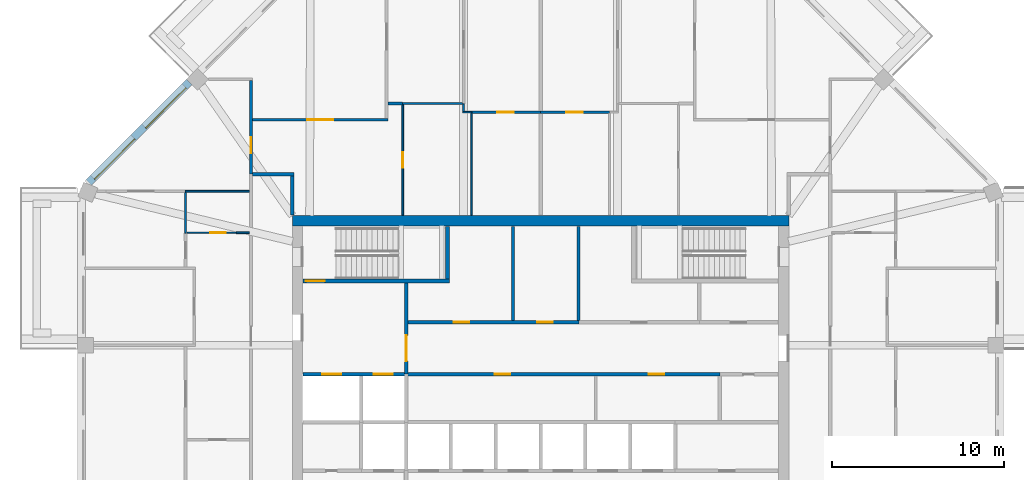
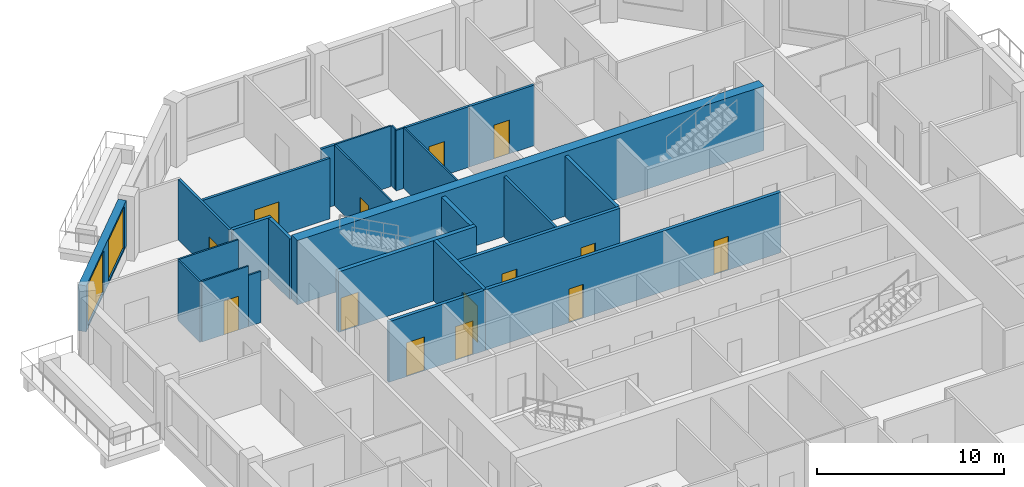
# One storey, part 7 of 12: 26 walls, 14 doors, 2 windows, 16 openings.
"""IFC4 building model written with IfcOpenShell, lengths in metres."""

from ifc_helpers import new_model, si_unit, direction, frame, frame_2d, origin, place, context, subcontext, project, spatial, rectangle, extrude, material, layer, layer_set, type_object, element, fill, save


model = new_model("IFC4")

# Units and contexts
model_context = context("Model", 3, precision=1e-05, world=origin(), true_north=direction((0.0, 1.0)))
body_context = subcontext(model_context, "Body", "Model", "MODEL_VIEW")
ifc_project = project(units=[si_unit("LENGTHUNIT", "METRE"), si_unit("AREAUNIT", "SQUARE_METRE"), si_unit("VOLUMEUNIT", "CUBIC_METRE"), si_unit("PLANEANGLEUNIT", "RADIAN"), si_unit("MASSUNIT", "GRAM", prefix="KILO")], contexts=[model_context])

# Site, building, storey
site_placement = place(None, origin())
site = spatial("IfcSite", under=ifc_project, at=site_placement, CompositionType="ELEMENT")
building_placement = place(site_placement, origin())
building = spatial("IfcBuilding", under=site, at=building_placement, Name="Msitu Wima Residences", CompositionType="ELEMENT")
storey_placement = place(building_placement, frame((0.0, 0.0, 239.10009765625)))
storey = spatial("IfcBuildingStorey", under=building, at=storey_placement, Name="L55", CompositionType="ELEMENT", Elevation=239.10009765625)

# Wall, openings, windows
ifc_material_1 = material(Name="Brick (red buff mix)", Category="masonry")
ifc_layer_1 = layer(ifc_material_1, 0.449951171875)
ifc_layer_set_1 = layer_set([ifc_layer_1], Name="Brick (red buff mix)")
wall_type_1 = type_object("IfcWallType", Name="Brick infill wall BW450", PredefinedType="SOLIDWALL", material=ifc_layer_set_1)
wall_1_placement = place(storey_placement, frame((-20.380126953125, 19.743896484375, 0.89990234375), z_axis=(0.0, 0.0, 1.0), x_axis=(-0.707106781187, -0.707106781187, 0.0)))
wall_1 = element("IfcWall", 1, at=wall_1_placement, inside=storey, type_object=wall_type_1, Name="Brick infill wall L55 NW1", PredefinedType="SOLIDWALL", context=body_context, shape_type="SweptSolid", body=[
    extrude(rectangle(XDim=8.251220703125, YDim=0.449951171875, at=frame_2d((4.12548828125, 0.0))), origin(), (0.0, 0.0, 1.0), 3.0),
])
opening_1_placement = place(wall_1_placement, frame((0.37548828125, 0.0, 0.14990234375)))
opening_1 = element("IfcOpeningElement", 2, at=opening_1_placement, cuts=wall_1, Name="Opening W55-56.014", PredefinedType="OPENING", context=body_context, shape_type="SweptSolid", body=[
    extrude(rectangle(XDim=3.300048828125, YDim=2.699951171875, at=frame_2d((1.64990234375, 1.35009765625))), frame((0.0, 0.23486328125, 0.0), z_axis=(0.0, -1.0, 0.0), x_axis=(1.0, 0.0, 0.0)), (0.0, 0.0, 1.0), 0.469970703125),
])
opening_2_placement = place(wall_1_placement, frame((4.57568359375, 0.0, 0.14990234375)))
opening_2 = element("IfcOpeningElement", 3, at=opening_2_placement, cuts=wall_1, Name="Opening W55-56.015", PredefinedType="OPENING", context=body_context, shape_type="SweptSolid", body=[
    extrude(rectangle(XDim=3.300048828125, YDim=2.699951171875, at=frame_2d((1.64990234375, 1.35009765625))), frame((0.0, 0.23486328125, 0.0), z_axis=(0.0, -1.0, 0.0), x_axis=(1.0, 0.0, 0.0)), (0.0, 0.0, 1.0), 0.469970703125),
])
ifc_material_2 = material(Name="Anodised aluminium, bronze finish, clear low-emissivity double glazing", Category="aluminium")
window_type = type_object("IfcWindowType", Name="Window W3300x2700", PartitioningType="DOUBLE_PANEL_VERTICAL", PredefinedType="WINDOW", material=ifc_material_2)
window_1_placement = place(opening_1_placement, origin())
window_1 = element("IfcWindow", 4, at=window_1_placement, inside=storey, type_object=window_type, Name="Window L55 NW1.1", OverallHeight=2.699951171875, OverallWidth=3.300048828125, PartitioningType="SINGLE_PANEL", PredefinedType="WINDOW", context=body_context, shape_type="SweptSolid", body=[
    extrude(rectangle(XDim=3.300048828125, YDim=2.699951171875, at=frame_2d((1.64990234375, 1.35009765625))), frame((0.0, 0.135009765625, 0.0), z_axis=(0.0, -1.0, 0.0), x_axis=(1.0, 0.0, 0.0)), (0.0, 0.0, 1.0), 0.06005859375),
])
fill(opening_1, window_1)
window_2_placement = place(opening_2_placement, origin())
window_2 = element("IfcWindow", 5, at=window_2_placement, inside=storey, type_object=window_type, Name="Window L55 NW1.2", OverallHeight=2.699951171875, OverallWidth=3.300048828125, PartitioningType="SINGLE_PANEL", PredefinedType="WINDOW", context=body_context, shape_type="SweptSolid", body=[
    extrude(rectangle(XDim=3.300048828125, YDim=2.699951171875, at=frame_2d((1.64990234375, 1.35009765625))), frame((0.0, 0.135009765625, 0.0), z_axis=(0.0, -1.0, 0.0), x_axis=(1.0, 0.0, 0.0)), (0.0, 0.0, 1.0), 0.06005859375),
])
fill(opening_2, window_2)

# Walls
ifc_material_3 = material(Name="Concrete C50/60", Category="concrete")
ifc_layer_2 = layer(ifc_material_3, 0.60009765625)
ifc_layer_set_2 = layer_set([ifc_layer_2], Name="Concrete C50/60")
wall_type_2 = type_object("IfcWallType", Name="Core wall CW600 C50/60", PredefinedType="SHEAR", material=ifc_layer_set_2)
wall_2_placement = place(storey_placement, frame((-14.39990234375, 11.699951171875, 0.0), z_axis=(0.0, 0.0, 1.0), x_axis=(1.0, 0.0, 0.0)))
element("IfcWall", 6, at=wall_2_placement, inside=storey, type_object=wall_type_2, Name="Core wall", PredefinedType="SHEAR", context=body_context, shape_type="SweptSolid", body=[
    extrude(rectangle(XDim=28.7998046875, YDim=0.60009765625, at=frame_2d((14.39990234375, 0.0))), origin(), (0.0, 0.0, 1.0), 4.199951171875),
])
ifc_material_4 = material(Name="Plaster")
ifc_layer_3 = layer(ifc_material_4, 0.011962890625, Name="Plaster")
ifc_material_5 = material(Name="Concrete blockwork", Category="masonry")
ifc_layer_4 = layer(ifc_material_5, 0.176025390625, Name="Concrete blockwork")
ifc_layer_5 = layer(ifc_material_4, 0.011962890625, Name="Plaster")
ifc_layer_set_3 = layer_set([ifc_layer_3, ifc_layer_4, ifc_layer_5], Name="Concrete blockwork")
wall_type_3 = type_object("IfcWallType", Name="Corridor wall FW200", PredefinedType="PARTITIONING", material=ifc_layer_set_3)
wall_3_placement = place(storey_placement, frame((-16.699951171875, 14.39990234375, 0.0), z_axis=(0.0, 0.0, 1.0), x_axis=(1.0, 0.0, 0.0)))
element("IfcWall", 7, at=wall_3_placement, inside=storey, type_object=wall_type_3, Name="Corridor wall", PredefinedType="PARTITIONING", context=body_context, shape_type="SweptSolid", body=[
    extrude(rectangle(XDim=2.39990234375, YDim=0.199951171875, at=frame_2d((1.199951171875, 0.0))), origin(), (0.0, 0.0, 1.0), 3.949951171875),
])
wall_4_placement = place(storey_placement, frame((-14.39990234375, 12.030029296875, 0.0), z_axis=(0.0, 0.0, 1.0), x_axis=(0.0, 1.0, 0.0)))
element("IfcWall", 8, at=wall_4_placement, inside=storey, type_object=wall_type_3, Name="Corridor wall", PredefinedType="PARTITIONING", context=body_context, shape_type="SweptSolid", body=[
    extrude(rectangle(XDim=2.27001953125, YDim=0.199951171875, at=frame_2d((1.135009765625, 0.0))), origin(), (0.0, 0.0, 1.0), 3.949951171875),
])

# Wall, openings, doors
wall_5_placement = place(storey_placement, frame((-7.820068359375, 2.800048828125, 0.0), z_axis=(0.0, 0.0, 1.0), x_axis=(1.0, 0.0, 0.0)))
wall_5 = element("IfcWall", 9, at=wall_5_placement, inside=storey, type_object=wall_type_3, Name="Corridor wall", PredefinedType="PARTITIONING", context=body_context, shape_type="SweptSolid", body=[
    extrude(rectangle(XDim=18.239990234375, YDim=0.199951171875, at=frame_2d((9.1201171875, 0.0))), origin(), (0.0, 0.0, 1.0), 3.949951171875),
])
opening_3_placement = place(wall_5_placement, frame((5.14990234375, 0.0, 0.0)))
opening_3 = element("IfcOpeningElement", 10, at=opening_3_placement, cuts=wall_5, Name="Opening D55-56.073", PredefinedType="OPENING", context=body_context, shape_type="SweptSolid", body=[
    extrude(rectangle(XDim=0.89990234375, YDim=2.199951171875, at=frame_2d((0.449951171875, 1.10009765625))), frame((0.0, 0.10986328125, 0.0), z_axis=(0.0, -1.0, 0.0), x_axis=(1.0, 0.0, 0.0)), (0.0, 0.0, 1.0), 0.219970703125),
])
opening_4_placement = place(wall_5_placement, frame((14.10009765625, 0.0, 0.0)))
opening_4 = element("IfcOpeningElement", 11, at=opening_4_placement, cuts=wall_5, Name="Opening D55-56.074", PredefinedType="OPENING", context=body_context, shape_type="SweptSolid", body=[
    extrude(rectangle(XDim=0.89990234375, YDim=2.199951171875, at=frame_2d((0.449951171875, 1.10009765625))), frame((0.0, 0.10986328125, 0.0), z_axis=(0.0, -1.0, 0.0), x_axis=(1.0, 0.0, 0.0)), (0.0, 0.0, 1.0), 0.219970703125),
])
ifc_material_6 = material(Name="Timber flush door", Category="wood")
door_type_1 = type_object("IfcDoorType", Name="Service door D05 900x2200", OperationType="SINGLE_SWING_LEFT", PredefinedType="DOOR", material=ifc_material_6)
door_1_placement = place(opening_3_placement, origin())
door_1 = element("IfcDoor", 12, at=door_1_placement, inside=storey, type_object=door_type_1, Name="Service door", OperationType="SINGLE_SWING_RIGHT", OverallHeight=2.199951171875, OverallWidth=0.89990234375, PredefinedType="DOOR", context=body_context, shape_type="SweptSolid", body=[
    extrude(rectangle(XDim=0.89990234375, YDim=2.199951171875, at=frame_2d((0.449951171875, 1.10009765625))), frame((0.0, 0.02490234375, 0.0), z_axis=(0.0, -1.0, 0.0), x_axis=(1.0, 0.0, 0.0)), (0.0, 0.0, 1.0), 0.050048828125),
])
fill(opening_3, door_1)
door_2_placement = place(opening_4_placement, origin())
door_2 = element("IfcDoor", 13, at=door_2_placement, inside=storey, type_object=door_type_1, Name="Service door", OperationType="SINGLE_SWING_LEFT", OverallHeight=2.199951171875, OverallWidth=0.89990234375, PredefinedType="DOOR", context=body_context, shape_type="SweptSolid", body=[
    extrude(rectangle(XDim=0.89990234375, YDim=2.199951171875, at=frame_2d((0.449951171875, 1.10009765625))), frame((0.0, 0.02490234375, 0.0), z_axis=(0.0, -1.0, 0.0), x_axis=(1.0, 0.0, 0.0)), (0.0, 0.0, 1.0), 0.050048828125),
])
fill(opening_4, door_2)

# Wall, opening, door
wall_6_placement = place(storey_placement, frame((-7.800048828125, 2.800048828125, 0.0), z_axis=(0.0, 0.0, 1.0), x_axis=(0.0, 1.0, 0.0)))
wall_6 = element("IfcWall", 14, at=wall_6_placement, inside=storey, type_object=wall_type_3, Name="Corridor wall", PredefinedType="PARTITIONING", context=body_context, shape_type="SweptSolid", body=[
    extrude(rectangle(XDim=5.27490234375, YDim=0.199951171875, at=frame_2d((2.637451171875, 0.0))), origin(), (0.0, 0.0, 1.0), 3.949951171875),
])
opening_5_placement = place(wall_6_placement, frame((0.75, 0.0, 0.0)))
opening_5 = element("IfcOpeningElement", 15, at=opening_5_placement, cuts=wall_6, Name="Opening D55-56.061", PredefinedType="OPENING", context=body_context, shape_type="SweptSolid", body=[
    extrude(rectangle(XDim=1.5, YDim=2.39990234375, at=frame_2d((0.75, 1.199951171875))), frame((0.0, 0.10986328125, 0.0), z_axis=(0.0, -1.0, 0.0), x_axis=(1.0, 0.0, 0.0)), (0.0, 0.0, 1.0), 0.219970703125),
])
ifc_material_7 = material(Name="Steel framed glazed door, fire resisting", Category="steel")
door_type_2 = type_object("IfcDoorType", Name="Lobby door D07 1500x2400", OperationType="DOUBLE_DOOR_SINGLE_SWING", PredefinedType="DOOR", material=ifc_material_7)
door_3_placement = place(opening_5_placement, origin())
door_3 = element("IfcDoor", 16, at=door_3_placement, inside=storey, type_object=door_type_2, Name="Lobby door", OperationType="DOUBLE_DOOR_SINGLE_SWING", OverallHeight=2.39990234375, OverallWidth=1.5, PredefinedType="DOOR", context=body_context, shape_type="SweptSolid", body=[
    extrude(rectangle(XDim=1.5, YDim=2.39990234375, at=frame_2d((0.75, 1.199951171875))), frame((0.0, 0.02490234375, 0.0), z_axis=(0.0, -1.0, 0.0), x_axis=(1.0, 0.0, 0.0)), (0.0, 0.0, 1.0), 0.050048828125),
])
fill(opening_5, door_3)

# Wall, openings, doors
wall_7_placement = place(storey_placement, frame((-7.699951171875, 5.800048828125, 0.0), z_axis=(0.0, 0.0, 1.0), x_axis=(1.0, 0.0, 0.0)))
wall_7 = element("IfcWall", 17, at=wall_7_placement, inside=storey, type_object=wall_type_3, Name="Corridor wall", PredefinedType="PARTITIONING", context=body_context, shape_type="SweptSolid", body=[
    extrude(rectangle(XDim=9.919921875, YDim=0.199951171875, at=frame_2d((4.9599609375, 0.0))), origin(), (0.0, 0.0, 1.0), 3.949951171875),
])
opening_6_placement = place(wall_7_placement, frame((2.64990234375, 0.0, 0.0)))
opening_6 = element("IfcOpeningElement", 18, at=opening_6_placement, cuts=wall_7, Name="Opening D55-56.064", PredefinedType="OPENING", context=body_context, shape_type="SweptSolid", body=[
    extrude(rectangle(XDim=0.89990234375, YDim=2.199951171875, at=frame_2d((0.449951171875, 1.10009765625))), frame((0.0, 0.10986328125, 0.0), z_axis=(0.0, -1.0, 0.0), x_axis=(1.0, 0.0, 0.0)), (0.0, 0.0, 1.0), 0.219970703125),
])
opening_7_placement = place(wall_7_placement, frame((7.5, 0.0, 0.0)))
opening_7 = element("IfcOpeningElement", 19, at=opening_7_placement, cuts=wall_7, Name="Opening D55-56.065", PredefinedType="OPENING", context=body_context, shape_type="SweptSolid", body=[
    extrude(rectangle(XDim=0.89990234375, YDim=2.199951171875, at=frame_2d((0.449951171875, 1.10009765625))), frame((0.0, 0.10986328125, 0.0), z_axis=(0.0, -1.0, 0.0), x_axis=(1.0, 0.0, 0.0)), (0.0, 0.0, 1.0), 0.219970703125),
])
door_4_placement = place(opening_6_placement, origin())
door_4 = element("IfcDoor", 20, at=door_4_placement, inside=storey, type_object=door_type_1, Name="Service door", OperationType="SINGLE_SWING_RIGHT", OverallHeight=2.199951171875, OverallWidth=0.89990234375, PredefinedType="DOOR", context=body_context, shape_type="SweptSolid", body=[
    extrude(rectangle(XDim=0.89990234375, YDim=2.199951171875, at=frame_2d((0.449951171875, 1.10009765625))), frame((0.0, 0.02490234375, 0.0), z_axis=(0.0, -1.0, 0.0), x_axis=(1.0, 0.0, 0.0)), (0.0, 0.0, 1.0), 0.050048828125),
])
fill(opening_6, door_4)
door_5_placement = place(opening_7_placement, origin())
door_5 = element("IfcDoor", 21, at=door_5_placement, inside=storey, type_object=door_type_1, Name="Service door", OperationType="SINGLE_SWING_LEFT", OverallHeight=2.199951171875, OverallWidth=0.89990234375, PredefinedType="DOOR", context=body_context, shape_type="SweptSolid", body=[
    extrude(rectangle(XDim=0.89990234375, YDim=2.199951171875, at=frame_2d((0.449951171875, 1.10009765625))), frame((0.0, 0.02490234375, 0.0), z_axis=(0.0, -1.0, 0.0), x_axis=(1.0, 0.0, 0.0)), (0.0, 0.0, 1.0), 0.050048828125),
])
fill(opening_7, door_5)

# Wall, opening, door
ifc_layer_6 = layer(ifc_material_4, 0.011962890625, Name="Plaster")
ifc_layer_7 = layer(ifc_material_5, 0.1259765625, Name="Concrete blockwork")
ifc_layer_8 = layer(ifc_material_4, 0.011962890625, Name="Plaster")
ifc_layer_set_4 = layer_set([ifc_layer_6, ifc_layer_7, ifc_layer_8], Name="Concrete blockwork")
wall_type_4 = type_object("IfcWallType", Name="Partition PW150", PredefinedType="PARTITIONING", material=ifc_layer_set_4)
wall_8_placement = place(storey_placement, frame((-16.800048828125, 14.39990234375, 0.0), z_axis=(0.0, 0.0, 1.0), x_axis=(0.0, 1.0, 0.0)))
wall_8 = element("IfcWall", 22, at=wall_8_placement, inside=storey, type_object=wall_type_4, Name="Partition", PredefinedType="PARTITIONING", context=body_context, shape_type="SweptSolid", body=[
    extrude(rectangle(XDim=5.427978515625, YDim=0.14990234375, at=frame_2d((2.7138671875, 0.0))), origin(), (0.0, 0.0, 1.0), 3.949951171875),
])
opening_8_placement = place(wall_8_placement, frame((1.199951171875, 0.0, 0.0)))
opening_8 = element("IfcOpeningElement", 23, at=opening_8_placement, cuts=wall_8, Name="Opening D55-56.056", PredefinedType="OPENING", context=body_context, shape_type="SweptSolid", body=[
    extrude(rectangle(XDim=0.949951171875, YDim=2.199951171875, at=frame_2d((0.47509765625, 1.10009765625))), frame((0.0, 0.0849609375, 0.0), z_axis=(0.0, -1.0, 0.0), x_axis=(1.0, 0.0, 0.0)), (0.0, 0.0, 1.0), 0.169921875),
])
door_type_3 = type_object("IfcDoorType", Name="Room door D12 950x2200", OperationType="SINGLE_SWING_LEFT", PredefinedType="DOOR", material=ifc_material_6)
door_6_placement = place(opening_8_placement, origin())
door_6 = element("IfcDoor", 24, at=door_6_placement, inside=storey, type_object=door_type_3, Name="Room door", OperationType="SINGLE_SWING_LEFT", OverallHeight=2.199951171875, OverallWidth=0.949951171875, PredefinedType="DOOR", context=body_context, shape_type="SweptSolid", body=[
    extrude(rectangle(XDim=0.949951171875, YDim=2.199951171875, at=frame_2d((0.47509765625, 1.10009765625))), frame((0.0, 0.02490234375, 0.0), z_axis=(0.0, -1.0, 0.0), x_axis=(1.0, 0.0, 0.0)), (0.0, 0.0, 1.0), 0.050048828125),
])
fill(opening_8, door_6)

wall_9_placement = place(storey_placement, frame((-16.72509765625, 17.550048828125, 0.0), z_axis=(0.0, 0.0, 1.0), x_axis=(1.0, 0.0, 0.0)))
wall_9 = element("IfcWall", 25, at=wall_9_placement, inside=storey, type_object=wall_type_4, Name="Partition", PredefinedType="PARTITIONING", context=body_context, shape_type="SweptSolid", body=[
    extrude(rectangle(XDim=7.86279296875, YDim=0.14990234375, at=frame_2d((3.931396484375, 0.0))), origin(), (0.0, 0.0, 1.0), 3.949951171875),
])
opening_9_placement = place(wall_9_placement, frame((3.199951171875, 0.0, 0.0)))
opening_9 = element("IfcOpeningElement", 26, at=opening_9_placement, cuts=wall_9, Name="Opening D55-56.057", PredefinedType="OPENING", context=body_context, shape_type="SweptSolid", body=[
    extrude(rectangle(XDim=1.5, YDim=2.199951171875, at=frame_2d((0.75, 1.10009765625))), frame((0.0, 0.0849609375, 0.0), z_axis=(0.0, -1.0, 0.0), x_axis=(1.0, 0.0, 0.0)), (0.0, 0.0, 1.0), 0.169921875),
])
ifc_material_8 = material(Name="Timber double door", Category="wood")
door_type_4 = type_object("IfcDoorType", Name="Double door D04 1500x2200", OperationType="DOUBLE_DOOR_SINGLE_SWING", PredefinedType="DOOR", material=ifc_material_8)
door_7_placement = place(opening_9_placement, origin())
door_7 = element("IfcDoor", 27, at=door_7_placement, inside=storey, type_object=door_type_4, Name="Double door", OperationType="DOUBLE_DOOR_SINGLE_SWING", OverallHeight=2.199951171875, OverallWidth=1.5, PredefinedType="DOOR", context=body_context, shape_type="SweptSolid", body=[
    extrude(rectangle(XDim=1.5, YDim=2.199951171875, at=frame_2d((0.75, 1.10009765625))), frame((0.0, 0.02490234375, 0.0), z_axis=(0.0, -1.0, 0.0), x_axis=(1.0, 0.0, 0.0)), (0.0, 0.0, 1.0), 0.050048828125),
])
fill(opening_9, door_7)

# Wall
wall_10_placement = place(storey_placement, frame((-8.8623046875, 18.5, 0.0), z_axis=(0.0, 0.0, 1.0), x_axis=(1.0, 0.0, 0.0)))
element("IfcWall", 28, at=wall_10_placement, inside=storey, type_object=wall_type_4, Name="Partition", PredefinedType="PARTITIONING", context=body_context, shape_type="SweptSolid", body=[
    extrude(rectangle(XDim=0.8623046875, YDim=0.14990234375, at=frame_2d((0.43115234375, 0.0))), origin(), (0.0, 0.0, 1.0), 3.949951171875),
])

# Wall, opening, door
wall_11_placement = place(storey_placement, frame((-4.0, 18.0, 0.0), z_axis=(0.0, 0.0, 1.0), x_axis=(1.0, 0.0, 0.0)))
wall_11 = element("IfcWall", 29, at=wall_11_placement, inside=storey, type_object=wall_type_4, Name="Partition", PredefinedType="PARTITIONING", context=body_context, shape_type="SweptSolid", body=[
    extrude(rectangle(XDim=4.0, YDim=0.14990234375, at=frame_2d((2.0, 0.0))), origin(), (0.0, 0.0, 1.0), 3.949951171875),
])
opening_10_placement = place(wall_11_placement, frame((1.5, 0.0, 0.0)))
opening_10 = element("IfcOpeningElement", 30, at=opening_10_placement, cuts=wall_11, Name="Opening D55-56.048", PredefinedType="OPENING", context=body_context, shape_type="SweptSolid", body=[
    extrude(rectangle(XDim=0.949951171875, YDim=2.199951171875, at=frame_2d((0.47509765625, 1.10009765625))), frame((0.0, 0.0849609375, 0.0), z_axis=(0.0, -1.0, 0.0), x_axis=(1.0, 0.0, 0.0)), (0.0, 0.0, 1.0), 0.169921875),
])
door_8_placement = place(opening_10_placement, origin())
door_8 = element("IfcDoor", 31, at=door_8_placement, inside=storey, type_object=door_type_3, Name="Room door", OperationType="SINGLE_SWING_RIGHT", OverallHeight=2.199951171875, OverallWidth=0.949951171875, PredefinedType="DOOR", context=body_context, shape_type="SweptSolid", body=[
    extrude(rectangle(XDim=0.949951171875, YDim=2.199951171875, at=frame_2d((0.47509765625, 1.10009765625))), frame((0.0, 0.02490234375, 0.0), z_axis=(0.0, -1.0, 0.0), x_axis=(1.0, 0.0, 0.0)), (0.0, 0.0, 1.0), 0.050048828125),
])
fill(opening_10, door_8)

# Wall
wall_12_placement = place(storey_placement, frame((-1.60009765625, 5.89990234375, 0.0), z_axis=(0.0, 0.0, 1.0), x_axis=(0.0, 1.0, 0.0)))
element("IfcWall", 32, at=wall_12_placement, inside=storey, type_object=wall_type_4, Name="Partition", PredefinedType="PARTITIONING", context=body_context, shape_type="SweptSolid", body=[
    extrude(rectangle(XDim=5.47021484375, YDim=0.14990234375, at=frame_2d((2.735107421875, 0.0))), origin(), (0.0, 0.0, 1.0), 3.949951171875),
])

# Wall, opening, door
wall_13_placement = place(storey_placement, frame((0.0, 18.0, 0.0), z_axis=(0.0, 0.0, 1.0), x_axis=(1.0, 0.0, 0.0)))
wall_13 = element("IfcWall", 33, at=wall_13_placement, inside=storey, type_object=wall_type_4, Name="Partition", PredefinedType="PARTITIONING", context=body_context, shape_type="SweptSolid", body=[
    extrude(rectangle(XDim=4.0, YDim=0.14990234375, at=frame_2d((2.0, 0.0))), origin(), (0.0, 0.0, 1.0), 3.949951171875),
])
opening_11_placement = place(wall_13_placement, frame((1.5, 0.0, 0.0)))
opening_11 = element("IfcOpeningElement", 34, at=opening_11_placement, cuts=wall_13, Name="Opening D55-56.024", PredefinedType="OPENING", context=body_context, shape_type="SweptSolid", body=[
    extrude(rectangle(XDim=0.949951171875, YDim=2.199951171875, at=frame_2d((0.47509765625, 1.10009765625))), frame((0.0, 0.0849609375, 0.0), z_axis=(0.0, -1.0, 0.0), x_axis=(1.0, 0.0, 0.0)), (0.0, 0.0, 1.0), 0.169921875),
])
door_9_placement = place(opening_11_placement, origin())
door_9 = element("IfcDoor", 35, at=door_9_placement, inside=storey, type_object=door_type_3, Name="Room door", OperationType="SINGLE_SWING_LEFT", OverallHeight=2.199951171875, OverallWidth=0.949951171875, PredefinedType="DOOR", context=body_context, shape_type="SweptSolid", body=[
    extrude(rectangle(XDim=0.949951171875, YDim=2.199951171875, at=frame_2d((0.47509765625, 1.10009765625))), frame((0.0, 0.02490234375, 0.0), z_axis=(0.0, -1.0, 0.0), x_axis=(1.0, 0.0, 0.0)), (0.0, 0.0, 1.0), 0.050048828125),
])
fill(opening_11, door_9)

# Wall
ifc_layer_9 = layer(ifc_material_4, 0.011962890625, Name="Plaster")
ifc_material_9 = material(Name="Reinforced concrete blockwork", Category="masonry")
ifc_layer_10 = layer(ifc_material_9, 0.176025390625, Name="Reinforced concrete blockwork")
ifc_layer_11 = layer(ifc_material_4, 0.011962890625, Name="Plaster")
ifc_layer_set_5 = layer_set([ifc_layer_9, ifc_layer_10, ifc_layer_11], Name="Reinforced concrete blockwork")
wall_type_5 = type_object("IfcWallType", Name="Plant and riser wall PL200", PredefinedType="PARTITIONING", material=ifc_layer_set_5)
wall_14_placement = place(storey_placement, frame((2.199951171875, 5.89990234375, 0.0), z_axis=(0.0, 0.0, 1.0), x_axis=(0.0, 1.0, 0.0)))
element("IfcWall", 36, at=wall_14_placement, inside=storey, type_object=wall_type_5, Name="Plant and riser wall", PredefinedType="PARTITIONING", context=body_context, shape_type="SweptSolid", body=[
    extrude(rectangle(XDim=5.47021484375, YDim=0.199951171875, at=frame_2d((2.735107421875, 0.0))), origin(), (0.0, 0.0, 1.0), 3.949951171875),
])

# Wall, openings, doors
ifc_material_10 = material(Name="Fire-rated board")
ifc_layer_12 = layer(ifc_material_10, 0.02490234375, Name="Fire-rated board")
ifc_material_11 = material(Name="Light-gauge stud framing with mineral wool")
ifc_layer_13 = layer(ifc_material_11, 0.14990234375, Name="Light-gauge stud framing with mineral wool")
ifc_layer_14 = layer(ifc_material_10, 0.02490234375, Name="Fire-rated board")
ifc_layer_set_6 = layer_set([ifc_layer_12, ifc_layer_13, ifc_layer_14], Name="Light-gauge stud framing with mineral wool")
wall_type_6 = type_object("IfcWallType", Name="Shaft wall SH200", PredefinedType="PARTITIONING", material=ifc_layer_set_6)
wall_15_placement = place(storey_placement, frame((-13.77001953125, 2.800048828125, 0.0), z_axis=(0.0, 0.0, 1.0), x_axis=(1.0, 0.0, 0.0)))
wall_15 = element("IfcWall", 37, at=wall_15_placement, inside=storey, type_object=wall_type_6, Name="Shaft wall", PredefinedType="PARTITIONING", context=body_context, shape_type="SweptSolid", body=[
    extrude(rectangle(XDim=5.949951171875, YDim=0.199951171875, at=frame_2d((2.97509765625, 0.0))), origin(), (0.0, 0.0, 1.0), 3.949951171875),
])
opening_12_placement = place(wall_15_placement, frame((1.10009765625, 0.0, 0.0)))
opening_12 = element("IfcOpeningElement", 38, at=opening_12_placement, cuts=wall_15, Name="Opening LD", PredefinedType="OPENING", context=body_context, shape_type="SweptSolid", body=[
    extrude(rectangle(XDim=1.10009765625, YDim=2.199951171875, at=frame_2d((0.550048828125, 1.10009765625))), frame((0.0, 0.10986328125, 0.0), z_axis=(0.0, -1.0, 0.0), x_axis=(1.0, 0.0, 0.0)), (0.0, 0.0, 1.0), 0.219970703125),
])
opening_13_placement = place(wall_15_placement, frame((4.10009765625, 0.0, 0.0)))
opening_13 = element("IfcOpeningElement", 39, at=opening_13_placement, cuts=wall_15, Name="Opening LD", PredefinedType="OPENING", context=body_context, shape_type="SweptSolid", body=[
    extrude(rectangle(XDim=1.10009765625, YDim=2.199951171875, at=frame_2d((0.550048828125, 1.10009765625))), frame((0.0, 0.10986328125, 0.0), z_axis=(0.0, -1.0, 0.0), x_axis=(1.0, 0.0, 0.0)), (0.0, 0.0, 1.0), 0.219970703125),
])
ifc_material_12 = material(Name="Stainless steel centre-opening landing door, rated", Category="steel")
door_type_5 = type_object("IfcDoorType", Name="Lift landing door LD 1100x2200", OperationType="DOUBLE_DOOR_SLIDING", PredefinedType="DOOR", material=ifc_material_12)
door_10_placement = place(opening_12_placement, origin())
door_10 = element("IfcDoor", 40, at=door_10_placement, inside=storey, type_object=door_type_5, Name="Lift landing door LD1", OperationType="DOUBLE_DOOR_SLIDING", OverallHeight=2.199951171875, OverallWidth=1.10009765625, PredefinedType="DOOR", context=body_context, shape_type="SweptSolid", body=[
    extrude(rectangle(XDim=1.10009765625, YDim=2.199951171875, at=frame_2d((0.550048828125, 1.10009765625))), frame((0.0, 0.02490234375, 0.0), z_axis=(0.0, -1.0, 0.0), x_axis=(1.0, 0.0, 0.0)), (0.0, 0.0, 1.0), 0.050048828125),
])
fill(opening_12, door_10)
door_11_placement = place(opening_13_placement, origin())
door_11 = element("IfcDoor", 41, at=door_11_placement, inside=storey, type_object=door_type_5, Name="Lift landing door LD2", OperationType="DOUBLE_DOOR_SLIDING", OverallHeight=2.199951171875, OverallWidth=1.10009765625, PredefinedType="DOOR", context=body_context, shape_type="SweptSolid", body=[
    extrude(rectangle(XDim=1.10009765625, YDim=2.199951171875, at=frame_2d((0.550048828125, 1.10009765625))), frame((0.0, 0.02490234375, 0.0), z_axis=(0.0, -1.0, 0.0), x_axis=(1.0, 0.0, 0.0)), (0.0, 0.0, 1.0), 0.050048828125),
])
fill(opening_13, door_11)

# Wall, opening, door
ifc_layer_15 = layer(ifc_material_3, 0.25)
ifc_layer_set_7 = layer_set([ifc_layer_15], Name="Concrete C50/60")
wall_type_7 = type_object("IfcWallType", Name="Stair enclosure wall SW250", PredefinedType="SHEAR", material=ifc_layer_set_7)
wall_16_placement = place(storey_placement, frame((-13.77001953125, 8.199951171875, 0.0), z_axis=(0.0, 0.0, 1.0), x_axis=(1.0, 0.0, 0.0)))
wall_16 = element("IfcWall", 42, at=wall_16_placement, inside=storey, type_object=wall_type_7, Name="Stair enclosure wall", PredefinedType="SHEAR", context=body_context, shape_type="SweptSolid", body=[
    extrude(rectangle(XDim=8.4951171875, YDim=0.25, at=frame_2d((4.24755859375, 0.0))), origin(), (0.0, 0.0, 1.0), 3.949951171875),
])
opening_14_placement = place(wall_16_placement, frame((0.14990234375, 0.0, 0.0)))
opening_14 = element("IfcOpeningElement", 43, at=opening_14_placement, cuts=wall_16, Name="Opening D55-56.078", PredefinedType="OPENING", context=body_context, shape_type="SweptSolid", body=[
    extrude(rectangle(XDim=1.10009765625, YDim=2.199951171875, at=frame_2d((0.550048828125, 1.10009765625))), frame((0.0, 0.135009765625, 0.0), z_axis=(0.0, -1.0, 0.0), x_axis=(1.0, 0.0, 0.0)), (0.0, 0.0, 1.0), 0.27001953125),
])
ifc_material_13 = material(Name="Steel door, fire resisting, panic bar", Category="steel")
door_type_6 = type_object("IfcDoorType", Name="Stair door D06 1100x2200", OperationType="SINGLE_SWING_LEFT", PredefinedType="DOOR", material=ifc_material_13)
door_12_placement = place(opening_14_placement, origin())
door_12 = element("IfcDoor", 44, at=door_12_placement, inside=storey, type_object=door_type_6, Name="Stair door", OperationType="SINGLE_SWING_LEFT", OverallHeight=2.199951171875, OverallWidth=1.10009765625, PredefinedType="DOOR", context=body_context, shape_type="SweptSolid", body=[
    extrude(rectangle(XDim=1.10009765625, YDim=2.199951171875, at=frame_2d((0.550048828125, 1.10009765625))), frame((0.0, 0.02490234375, 0.0), z_axis=(0.0, -1.0, 0.0), x_axis=(1.0, 0.0, 0.0)), (0.0, 0.0, 1.0), 0.050048828125),
])
fill(opening_14, door_12)

# Walls
wall_17_placement = place(storey_placement, frame((-5.39990234375, 8.324951171875, 0.0), z_axis=(0.0, 0.0, 1.0), x_axis=(0.0, 1.0, 0.0)))
element("IfcWall", 45, at=wall_17_placement, inside=storey, type_object=wall_type_7, Name="Stair enclosure wall", PredefinedType="SHEAR", context=body_context, shape_type="SweptSolid", body=[
    extrude(rectangle(XDim=3.045166015625, YDim=0.25, at=frame_2d((1.5224609375, 0.0))), origin(), (0.0, 0.0, 1.0), 3.949951171875),
])
ifc_material_14 = material(Name="Ceramic tiles")
ifc_layer_16 = layer(ifc_material_14, 0.008056640625, Name="Ceramic tiles")
ifc_material_15 = material(Name="Moisture-resistant board")
ifc_layer_17 = layer(ifc_material_15, 0.012451171875, Name="Moisture-resistant board")
ifc_layer_18 = layer(ifc_material_11, 0.06689453125, Name="Light-gauge stud framing with mineral wool")
ifc_layer_19 = layer(ifc_material_15, 0.012451171875, Name="Moisture-resistant board")
ifc_layer_set_8 = layer_set([ifc_layer_16, ifc_layer_17, ifc_layer_18, ifc_layer_19], Name="Light-gauge stud framing with mineral wool")
wall_type_8 = type_object("IfcWallType", Name="Wet wall PW100", PredefinedType="PARTITIONING", material=ifc_layer_set_8)
wall_18_placement = place(storey_placement, frame((-20.60009765625, 10.97998046875, 0.0), z_axis=(0.0, 0.0, 1.0), x_axis=(0.0, 1.0, 0.0)))
element("IfcWall", 46, at=wall_18_placement, inside=storey, type_object=wall_type_8, Name="Wet wall", PredefinedType="PARTITIONING", context=body_context, shape_type="SweptSolid", body=[
    extrude(rectangle(XDim=2.350830078125, YDim=0.10009765625, at=frame_2d((1.17529296875, 0.0))), origin(), (0.0, 0.0, 1.0), 3.949951171875),
])

# Wall, opening, door
wall_19_placement = place(storey_placement, frame((-20.52490234375, 11.0, 0.0), z_axis=(0.0, 0.0, 1.0), x_axis=(1.0, 0.0, 0.0)))
wall_19 = element("IfcWall", 47, at=wall_19_placement, inside=storey, type_object=wall_type_8, Name="Wet wall", PredefinedType="PARTITIONING", context=body_context, shape_type="SweptSolid", body=[
    extrude(rectangle(XDim=2.87109375, YDim=0.10009765625, at=frame_2d((1.435546875, 0.0))), origin(), (0.0, 0.0, 1.0), 3.949951171875),
])
opening_15_placement = place(wall_19_placement, frame((1.35009765625, 0.0, 0.0)))
opening_15 = element("IfcOpeningElement", 48, at=opening_15_placement, cuts=wall_19, Name="Opening D55-56.047", PredefinedType="OPENING", context=body_context, shape_type="SweptSolid", body=[
    extrude(rectangle(XDim=0.89990234375, YDim=2.199951171875, at=frame_2d((0.449951171875, 1.10009765625))), frame((0.0, 0.06005859375, 0.0), z_axis=(0.0, -1.0, 0.0), x_axis=(1.0, 0.0, 0.0)), (0.0, 0.0, 1.0), 0.1201171875),
])
ifc_material_16 = material(Name="Timber flush door, moisture resistant", Category="wood")
door_type_7 = type_object("IfcDoorType", Name="Bathroom door D03 900x2200", OperationType="SINGLE_SWING_LEFT", PredefinedType="DOOR", material=ifc_material_16)
door_13_placement = place(opening_15_placement, origin())
door_13 = element("IfcDoor", 49, at=door_13_placement, inside=storey, type_object=door_type_7, Name="Bathroom door", OperationType="SINGLE_SWING_LEFT", OverallHeight=2.199951171875, OverallWidth=0.89990234375, PredefinedType="DOOR", context=body_context, shape_type="SweptSolid", body=[
    extrude(rectangle(XDim=0.89990234375, YDim=2.199951171875, at=frame_2d((0.449951171875, 1.10009765625))), frame((0.0, 0.02490234375, 0.0), z_axis=(0.0, -1.0, 0.0), x_axis=(1.0, 0.0, 0.0)), (0.0, 0.0, 1.0), 0.050048828125),
])
fill(opening_15, door_13)

# Walls
wall_20_placement = place(storey_placement, frame((-17.65380859375, 11.0, 0.0), z_axis=(0.0, 0.0, 1.0), x_axis=(1.0, 0.0, 0.0)))
element("IfcWall", 50, at=wall_20_placement, inside=storey, type_object=wall_type_8, Name="Wet wall", PredefinedType="PARTITIONING", context=body_context, shape_type="SweptSolid", body=[
    extrude(rectangle(XDim=0.75390625, YDim=0.10009765625, at=frame_2d((0.376953125, 0.0))), origin(), (0.0, 0.0, 1.0), 3.349853515625),
])
wall_21_placement = place(storey_placement, frame((-20.60009765625, 13.406005859375, 0.0), z_axis=(0.0, 0.0, 1.0), x_axis=(1.0, 0.0, 0.0)))
element("IfcWall", 51, at=wall_21_placement, inside=storey, type_object=wall_type_8, Name="Wet wall", PredefinedType="PARTITIONING", context=body_context, shape_type="SweptSolid", body=[
    extrude(rectangle(XDim=3.7001953125, YDim=0.10009765625, at=frame_2d((1.85009765625, 0.0))), origin(), (0.0, 0.0, 1.0), 3.949951171875),
])

# Wall, opening, door
wall_22_placement = place(storey_placement, frame((-8.0, 12.030029296875, 0.0), z_axis=(0.0, 0.0, 1.0), x_axis=(0.0, 1.0, 0.0)))
wall_22 = element("IfcWall", 52, at=wall_22_placement, inside=storey, type_object=wall_type_8, Name="Wet wall", PredefinedType="PARTITIONING", context=body_context, shape_type="SweptSolid", body=[
    extrude(rectangle(XDim=6.39501953125, YDim=0.10009765625, at=frame_2d((3.197509765625, 0.0))), origin(), (0.0, 0.0, 1.0), 3.949951171875),
])
opening_16_placement = place(wall_22_placement, frame((2.75, 0.0, 0.0)))
opening_16 = element("IfcOpeningElement", 53, at=opening_16_placement, cuts=wall_22, Name="Opening D55-56.038", PredefinedType="OPENING", context=body_context, shape_type="SweptSolid", body=[
    extrude(rectangle(XDim=0.89990234375, YDim=2.199951171875, at=frame_2d((0.449951171875, 1.10009765625))), frame((0.0, 0.06005859375, 0.0), z_axis=(0.0, -1.0, 0.0), x_axis=(1.0, 0.0, 0.0)), (0.0, 0.0, 1.0), 0.1201171875),
])
door_14_placement = place(opening_16_placement, origin())
door_14 = element("IfcDoor", 54, at=door_14_placement, inside=storey, type_object=door_type_7, Name="Bathroom door", OperationType="SINGLE_SWING_LEFT", OverallHeight=2.199951171875, OverallWidth=0.89990234375, PredefinedType="DOOR", context=body_context, shape_type="SweptSolid", body=[
    extrude(rectangle(XDim=0.89990234375, YDim=2.199951171875, at=frame_2d((0.449951171875, 1.10009765625))), frame((0.0, 0.02490234375, 0.0), z_axis=(0.0, -1.0, 0.0), x_axis=(1.0, 0.0, 0.0)), (0.0, 0.0, 1.0), 0.050048828125),
])
fill(opening_16, door_14)

# Walls
wall_23_placement = place(storey_placement, frame((-8.0, 18.5, 0.0), z_axis=(0.0, 0.0, 1.0), x_axis=(1.0, 0.0, 0.0)))
element("IfcWall", 55, at=wall_23_placement, inside=storey, type_object=wall_type_8, Name="Wet wall", PredefinedType="PARTITIONING", context=body_context, shape_type="SweptSolid", body=[
    extrude(rectangle(XDim=3.456298828125, YDim=0.10009765625, at=frame_2d((1.72802734375, 0.0))), origin(), (0.0, 0.0, 1.0), 3.949951171875),
])
wall_24_placement = place(storey_placement, frame((-4.46875, 18.050048828125, 0.0), z_axis=(0.0, 0.0, 1.0), x_axis=(0.0, 1.0, 0.0)))
element("IfcWall", 56, at=wall_24_placement, inside=storey, type_object=wall_type_8, Name="Wet wall", PredefinedType="PARTITIONING", context=body_context, shape_type="SweptSolid", body=[
    extrude(rectangle(XDim=0.429931640625, YDim=0.10009765625, at=frame_2d((0.21484375, 0.0))), origin(), (0.0, 0.0, 1.0), 3.949951171875),
])
wall_25_placement = place(storey_placement, frame((-4.5185546875, 18.0, 0.0), z_axis=(0.0, 0.0, 1.0), x_axis=(1.0, 0.0, 0.0)))
element("IfcWall", 57, at=wall_25_placement, inside=storey, type_object=wall_type_8, Name="Wet wall", PredefinedType="PARTITIONING", context=body_context, shape_type="SweptSolid", body=[
    extrude(rectangle(XDim=0.5185546875, YDim=0.10009765625, at=frame_2d((0.25927734375, 0.0))), origin(), (0.0, 0.0, 1.0), 3.949951171875),
])
wall_26_placement = place(storey_placement, frame((-4.0, 12.030029296875, 0.0), z_axis=(0.0, 0.0, 1.0), x_axis=(0.0, 1.0, 0.0)))
element("IfcWall", 58, at=wall_26_placement, inside=storey, type_object=wall_type_8, Name="Wet wall", PredefinedType="PARTITIONING", context=body_context, shape_type="SweptSolid", body=[
    extrude(rectangle(XDim=5.919921875, YDim=0.10009765625, at=frame_2d((2.9599609375, 0.0))), origin(), (0.0, 0.0, 1.0), 3.949951171875),
])

save(model, "model.ifc")
